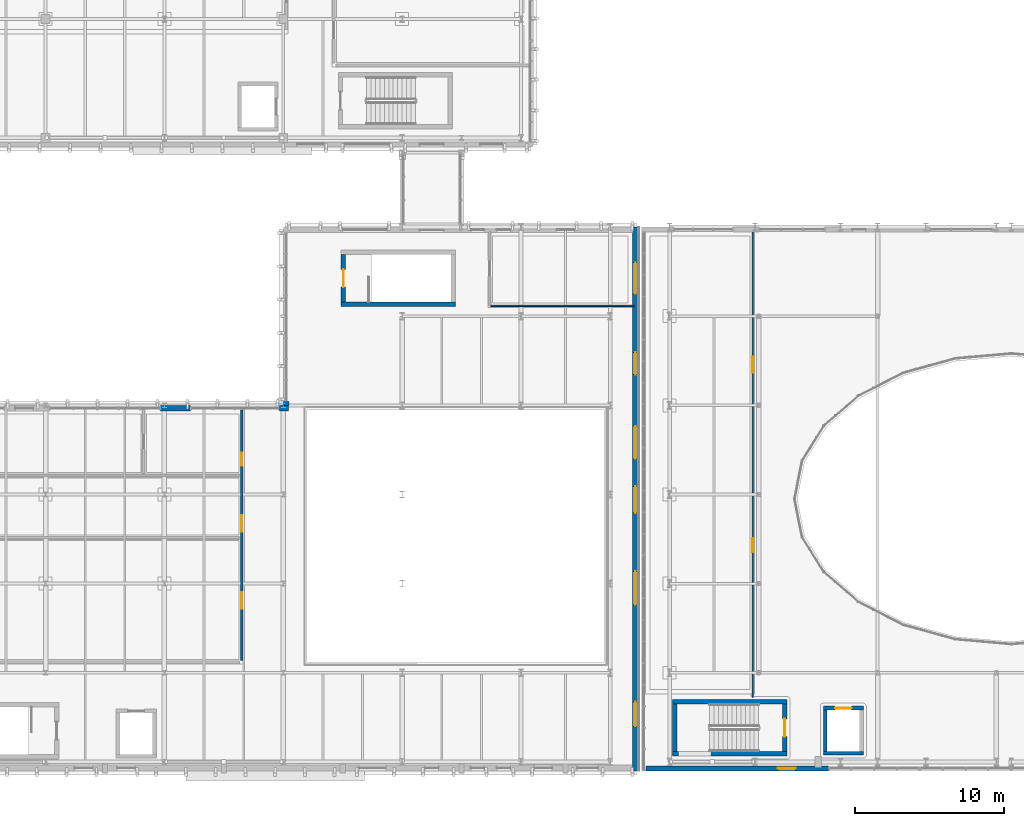
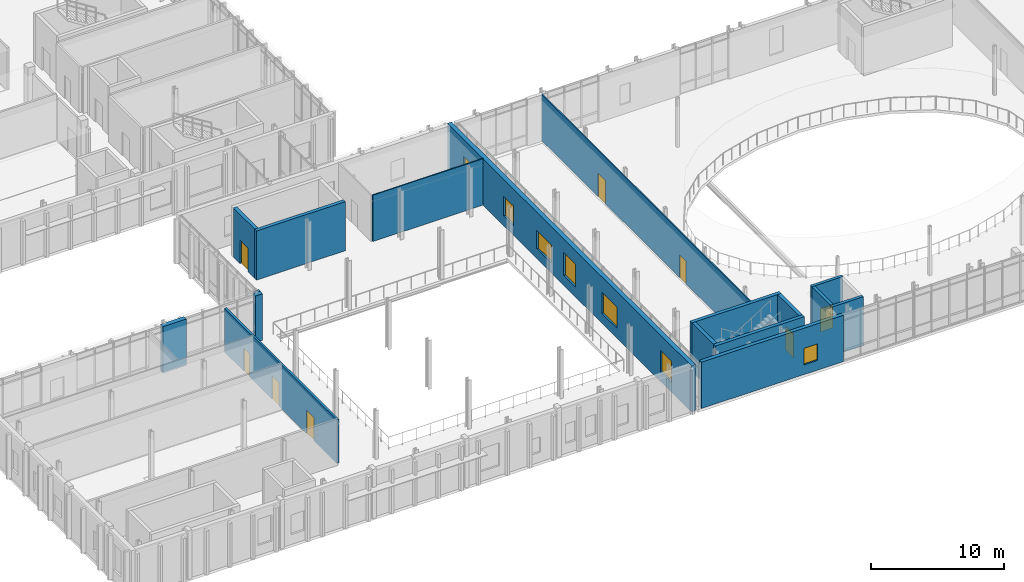
# One storey, part 68 of 100: 17 walls, 8 doors, 7 windows, 15 openings.
"""IFC4 building model written with IfcOpenShell, lengths in metres."""

from ifc_helpers import new_model, si_unit, direction, frame, frame_2d, origin, place, context, subcontext, project, spatial, rectangle, extrude, material, layer, layer_set, type_object, element, fill, save


model = new_model("IFC4")

# Units and contexts
model_context = context("Model", 3, precision=1e-05, world=origin(), true_north=direction((0.0, 1.0)))
body_context = subcontext(model_context, "Body", "Model", "MODEL_VIEW")
ifc_project = project(units=[si_unit("LENGTHUNIT", "METRE"), si_unit("AREAUNIT", "SQUARE_METRE"), si_unit("VOLUMEUNIT", "CUBIC_METRE"), si_unit("PLANEANGLEUNIT", "RADIAN"), si_unit("MASSUNIT", "GRAM", prefix="KILO")], contexts=[model_context])

# Site, building, storey
site_placement = place(None, origin())
site = spatial("IfcSite", under=ifc_project, at=site_placement, CompositionType="ELEMENT")
building_placement = place(site_placement, origin())
building = spatial("IfcBuilding", under=site, at=building_placement, Name="Cymarion Research Institute", CompositionType="ELEMENT")
storey_placement = place(building_placement, frame((0.0, 0.0, 9.300048828125)))
storey = spatial("IfcBuildingStorey", under=building, at=storey_placement, Name="L02", CompositionType="ELEMENT", Elevation=9.300048828125)

# Wall, openings, windows
ifc_material_1 = material(Name="Precast concrete C40/50", Category="concrete")
ifc_layer_1 = layer(ifc_material_1, 0.3798828125)
ifc_layer_set_1 = layer_set([ifc_layer_1], Name="Precast concrete C40/50")
wall_type_1 = type_object("IfcWallType", Name="EXTERIOR WALL EW-PC380 380MM", PredefinedType="SOLIDWALL", material=ifc_layer_set_1)
wall_1_placement = place(storey_placement, frame((54.31005859375, 4.89990234375, 0.0), z_axis=(0.0, 0.0, 1.0), x_axis=(0.0, 1.0, 0.0)))
wall_1 = element("IfcWall", 1, at=wall_1_placement, inside=storey, type_object=wall_type_1, Name="L02 V3 exterior wall EW-PC380 #146", PredefinedType="SOLIDWALL", context=body_context, shape_type="SweptSolid", body=[
    extrude(rectangle(XDim=36.60009765625, YDim=0.3798828125, at=frame_2d((18.300048828125, 0.0))), origin(), (0.0, 0.0, 1.0), 4.25),
])
opening_1_placement = place(wall_1_placement, frame((2.9951171875, 0.0, 0.89990234375)))
opening_1 = element("IfcOpeningElement", 2, at=opening_1_placement, cuts=wall_1, Name="Opening W28", PredefinedType="OPENING", context=body_context, shape_type="SweptSolid", body=[
    extrude(rectangle(XDim=1.64990234375, YDim=1.949951171875, at=frame_2d((0.824951171875, 0.97509765625))), frame((0.0, 0.199951171875, 0.0), z_axis=(0.0, -1.0, 0.0), x_axis=(1.0, 0.0, 0.0)), (0.0, 0.0, 1.0), 0.39990234375),
])
opening_2_placement = place(wall_1_placement, frame((11.175048828125, 0.0, 0.89990234375)))
opening_2 = element("IfcOpeningElement", 3, at=opening_2_placement, cuts=wall_1, Name="Opening W30", PredefinedType="OPENING", context=body_context, shape_type="SweptSolid", body=[
    extrude(rectangle(XDim=2.25, YDim=1.949951171875, at=frame_2d((1.125, 0.97509765625))), frame((0.0, 0.199951171875, 0.0), z_axis=(0.0, -1.0, 0.0), x_axis=(1.0, 0.0, 0.0)), (0.0, 0.0, 1.0), 0.39990234375),
])
opening_3_placement = place(wall_1_placement, frame((17.35009765625, 0.0, 0.89990234375)))
opening_3 = element("IfcOpeningElement", 4, at=opening_3_placement, cuts=wall_1, Name="Opening W10", PredefinedType="OPENING", context=body_context, shape_type="SweptSolid", body=[
    extrude(rectangle(XDim=1.800048828125, YDim=2.10009765625, at=frame_2d((0.89990234375, 1.050048828125))), frame((0.0, 0.199951171875, 0.0), z_axis=(0.0, -1.0, 0.0), x_axis=(1.0, 0.0, 0.0)), (0.0, 0.0, 1.0), 0.39990234375),
])
opening_4_placement = place(wall_1_placement, frame((21.0, 0.0, 0.89990234375)))
opening_4 = element("IfcOpeningElement", 5, at=opening_4_placement, cuts=wall_1, Name="Opening W34", PredefinedType="OPENING", context=body_context, shape_type="SweptSolid", body=[
    extrude(rectangle(XDim=2.199951171875, YDim=1.64990234375, at=frame_2d((1.10009765625, 0.824951171875))), frame((0.0, 0.199951171875, 0.0), z_axis=(0.0, -1.0, 0.0), x_axis=(1.0, 0.0, 0.0)), (0.0, 0.0, 1.0), 0.39990234375),
])
opening_5_placement = place(wall_1_placement, frame((26.659912109375, 0.0, 0.89990234375)))
opening_5 = element("IfcOpeningElement", 6, at=opening_5_placement, cuts=wall_1, Name="Opening W02", PredefinedType="OPENING", context=body_context, shape_type="SweptSolid", body=[
    extrude(rectangle(XDim=1.5, YDim=1.800048828125, at=frame_2d((0.75, 0.89990234375))), frame((0.0, 0.199951171875, 0.0), z_axis=(0.0, -1.0, 0.0), x_axis=(1.0, 0.0, 0.0)), (0.0, 0.0, 1.0), 0.39990234375),
])
opening_6_placement = place(wall_1_placement, frame((32.10009765625, 0.0, 0.89990234375)))
opening_6 = element("IfcOpeningElement", 7, at=opening_6_placement, cuts=wall_1, Name="Opening W04", PredefinedType="OPENING", context=body_context, shape_type="SweptSolid", body=[
    extrude(rectangle(XDim=2.10009765625, YDim=1.800048828125, at=frame_2d((1.050048828125, 0.89990234375))), frame((0.0, 0.199951171875, 0.0), z_axis=(0.0, -1.0, 0.0), x_axis=(1.0, 0.0, 0.0)), (0.0, 0.0, 1.0), 0.39990234375),
])
ifc_material_2 = material(Name="Thermally broken aluminium window with Low-E glazing", Category="aluminium")
window_type_1 = type_object("IfcWindowType", Name="THERMALLY BROKEN ALUMINIUM WINDOW W02 1500X1800", PartitioningType="DOUBLE_PANEL_VERTICAL", PredefinedType="WINDOW", material=ifc_material_2)
window_1_placement = place(opening_5_placement, origin())
window_1 = element("IfcWindow", 8, at=window_1_placement, inside=storey, type_object=window_type_1, Name="L02 V3 facade window W02 #266", OverallHeight=1.800048828125, OverallWidth=1.5, PartitioningType="SINGLE_PANEL", PredefinedType="WINDOW", context=body_context, shape_type="SweptSolid", body=[
    extrude(rectangle(XDim=1.5, YDim=1.800048828125, at=frame_2d((0.75, 0.89990234375))), frame((0.0, 0.030029296875, 0.0), z_axis=(0.0, -1.0, 0.0), x_axis=(1.0, 0.0, 0.0)), (0.0, 0.0, 1.0), 0.06005859375),
])
fill(opening_5, window_1)
window_type_2 = type_object("IfcWindowType", Name="THERMALLY BROKEN ALUMINIUM WINDOW W04 2100X1800", PartitioningType="DOUBLE_PANEL_VERTICAL", PredefinedType="WINDOW", material=ifc_material_2)
window_2_placement = place(opening_6_placement, origin())
window_2 = element("IfcWindow", 9, at=window_2_placement, inside=storey, type_object=window_type_2, Name="L02 V3 facade window W04 #267", OverallHeight=1.800048828125, OverallWidth=2.10009765625, PartitioningType="SINGLE_PANEL", PredefinedType="WINDOW", context=body_context, shape_type="SweptSolid", body=[
    extrude(rectangle(XDim=2.10009765625, YDim=1.800048828125, at=frame_2d((1.050048828125, 0.89990234375))), frame((0.0, 0.030029296875, 0.0), z_axis=(0.0, -1.0, 0.0), x_axis=(1.0, 0.0, 0.0)), (0.0, 0.0, 1.0), 0.06005859375),
])
fill(opening_6, window_2)
window_type_3 = type_object("IfcWindowType", Name="THERMALLY BROKEN ALUMINIUM WINDOW W10 1800X2100", PartitioningType="DOUBLE_PANEL_VERTICAL", PredefinedType="WINDOW", material=ifc_material_2)
window_3_placement = place(opening_3_placement, origin())
window_3 = element("IfcWindow", 10, at=window_3_placement, inside=storey, type_object=window_type_3, Name="L02 V3 facade window W10 #264", OverallHeight=2.10009765625, OverallWidth=1.800048828125, PartitioningType="SINGLE_PANEL", PredefinedType="WINDOW", context=body_context, shape_type="SweptSolid", body=[
    extrude(rectangle(XDim=1.800048828125, YDim=2.10009765625, at=frame_2d((0.89990234375, 1.050048828125))), frame((0.0, 0.030029296875, 0.0), z_axis=(0.0, -1.0, 0.0), x_axis=(1.0, 0.0, 0.0)), (0.0, 0.0, 1.0), 0.06005859375),
])
fill(opening_3, window_3)
window_type_4 = type_object("IfcWindowType", Name="THERMALLY BROKEN ALUMINIUM WINDOW W28 1650X1950", PartitioningType="DOUBLE_PANEL_VERTICAL", PredefinedType="WINDOW", material=ifc_material_2)
window_4_placement = place(opening_1_placement, origin())
window_4 = element("IfcWindow", 11, at=window_4_placement, inside=storey, type_object=window_type_4, Name="L02 V3 facade window W28 #262", OverallHeight=1.949951171875, OverallWidth=1.64990234375, PartitioningType="SINGLE_PANEL", PredefinedType="WINDOW", context=body_context, shape_type="SweptSolid", body=[
    extrude(rectangle(XDim=1.64990234375, YDim=1.949951171875, at=frame_2d((0.824951171875, 0.97509765625))), frame((0.0, 0.030029296875, 0.0), z_axis=(0.0, -1.0, 0.0), x_axis=(1.0, 0.0, 0.0)), (0.0, 0.0, 1.0), 0.06005859375),
])
fill(opening_1, window_4)
window_type_5 = type_object("IfcWindowType", Name="THERMALLY BROKEN ALUMINIUM WINDOW W30 2250X1950", PartitioningType="DOUBLE_PANEL_VERTICAL", PredefinedType="WINDOW", material=ifc_material_2)
window_5_placement = place(opening_2_placement, origin())
window_5 = element("IfcWindow", 12, at=window_5_placement, inside=storey, type_object=window_type_5, Name="L02 V3 facade window W30 #263", OverallHeight=1.949951171875, OverallWidth=2.25, PartitioningType="SINGLE_PANEL", PredefinedType="WINDOW", context=body_context, shape_type="SweptSolid", body=[
    extrude(rectangle(XDim=2.25, YDim=1.949951171875, at=frame_2d((1.125, 0.97509765625))), frame((0.0, 0.030029296875, 0.0), z_axis=(0.0, -1.0, 0.0), x_axis=(1.0, 0.0, 0.0)), (0.0, 0.0, 1.0), 0.06005859375),
])
fill(opening_2, window_5)
window_type_6 = type_object("IfcWindowType", Name="THERMALLY BROKEN ALUMINIUM WINDOW W34 2200X1650", PartitioningType="DOUBLE_PANEL_VERTICAL", PredefinedType="WINDOW", material=ifc_material_2)
window_6_placement = place(opening_4_placement, origin())
window_6 = element("IfcWindow", 13, at=window_6_placement, inside=storey, type_object=window_type_6, Name="L02 V3 facade window W34 #265", OverallHeight=1.64990234375, OverallWidth=2.199951171875, PartitioningType="SINGLE_PANEL", PredefinedType="WINDOW", context=body_context, shape_type="SweptSolid", body=[
    extrude(rectangle(XDim=2.199951171875, YDim=1.64990234375, at=frame_2d((1.10009765625, 0.824951171875))), frame((0.0, 0.030029296875, 0.0), z_axis=(0.0, -1.0, 0.0), x_axis=(1.0, 0.0, 0.0)), (0.0, 0.0, 1.0), 0.06005859375),
])
fill(opening_4, window_6)

# Walls
wall_2_placement = place(storey_placement, frame((30.7900390625, 29.760009765625, 0.0), z_axis=(0.0, 0.0, 1.0), x_axis=(0.0, -1.0, 0.0)))
element("IfcWall", 14, at=wall_2_placement, inside=storey, type_object=wall_type_1, Name="L02 V3 facade pier wall EW-PC380 #148", PredefinedType="SOLIDWALL", context=body_context, shape_type="SweptSolid", body=[
    extrude(rectangle(XDim=0.260009765625, YDim=0.3798828125, at=frame_2d((0.1298828125, 0.0))), origin(), (0.0, 0.0, 1.0), 4.25),
])
wall_3_placement = place(storey_placement, frame((30.9619140625, 29.31005859375, 0.0), z_axis=(0.0, 0.0, 1.0), x_axis=(-1.0, 0.0, 0.0)))
element("IfcWall", 15, at=wall_3_placement, inside=storey, type_object=wall_type_1, Name="L02 V3 facade pier wall EW-PC380 #149", PredefinedType="SOLIDWALL", context=body_context, shape_type="SweptSolid", body=[
    extrude(rectangle(XDim=0.621826171875, YDim=0.3798828125, at=frame_2d((0.31103515625, 0.0))), origin(), (0.0, 0.0, 1.0), 4.25),
])
wall_4_placement = place(storey_placement, frame((24.35009765625, 29.31005859375, 0.0), z_axis=(0.0, 0.0, 1.0), x_axis=(-1.0, 0.0, 0.0)))
element("IfcWall", 16, at=wall_4_placement, inside=storey, type_object=wall_type_1, Name="L02 V3 facade pier wall EW-PC380 #150", PredefinedType="SOLIDWALL", context=body_context, shape_type="SweptSolid", body=[
    extrude(rectangle(XDim=2.010009765625, YDim=0.3798828125, at=frame_2d((1.0048828125, 0.0))), origin(), (0.0, 0.0, 1.0), 4.25),
])

# Wall, opening, window
ifc_material_3 = material(Name="Concrete C40/50", Category="concrete")
ifc_layer_2 = layer(ifc_material_3, 0.320068359375)
ifc_layer_set_2 = layer_set([ifc_layer_2], Name="Concrete C40/50")
wall_type_2 = type_object("IfcWallType", Name="EXTERIOR WALL EW-RC320 320MM", PredefinedType="SHEAR", material=ifc_layer_set_2)
wall_5_placement = place(storey_placement, frame((55.001953125, 5.06005859375, 0.0), z_axis=(0.0, 0.0, 1.0), x_axis=(1.0, 0.0, 0.0)))
wall_5 = element("IfcWall", 17, at=wall_5_placement, inside=storey, type_object=wall_type_2, Name="L02 V2 facade pier wall EW-RC320 #138", PredefinedType="SHEAR", context=body_context, shape_type="SweptSolid", body=[
    extrude(rectangle(XDim=12.299072265625, YDim=0.320068359375, at=frame_2d((6.1494140625, 0.0))), origin(), (0.0, 0.0, 1.0), 4.25),
])
opening_7_placement = place(wall_5_placement, frame((8.883056640625, 0.0, 0.89990234375)))
opening_7 = element("IfcOpeningElement", 18, at=opening_7_placement, cuts=wall_5, Name="Opening W15", PredefinedType="OPENING", context=body_context, shape_type="SweptSolid", body=[
    extrude(rectangle(XDim=1.199951171875, YDim=1.5, at=frame_2d((0.60009765625, 0.75))), frame((0.0, 0.169921875, 0.0), z_axis=(0.0, -1.0, 0.0), x_axis=(1.0, 0.0, 0.0)), (0.0, 0.0, 1.0), 0.340087890625),
])
window_type_7 = type_object("IfcWindowType", Name="THERMALLY BROKEN ALUMINIUM WINDOW W15 1200X1500", PartitioningType="SINGLE_PANEL", PredefinedType="WINDOW", material=ifc_material_2)
window_7_placement = place(opening_7_placement, origin())
window_7 = element("IfcWindow", 19, at=window_7_placement, inside=storey, type_object=window_type_7, Name="L02 V2 facade window W15 #250", OverallHeight=1.5, OverallWidth=1.199951171875, PartitioningType="SINGLE_PANEL", PredefinedType="WINDOW", context=body_context, shape_type="SweptSolid", body=[
    extrude(rectangle(XDim=1.199951171875, YDim=1.5, at=frame_2d((0.60009765625, 0.75))), frame((0.0, 0.030029296875, 0.0), z_axis=(0.0, -1.0, 0.0), x_axis=(1.0, 0.0, 0.0)), (0.0, 0.0, 1.0), 0.06005859375),
])
fill(opening_7, window_7)

# Wall, openings, doors
ifc_material_4 = material(Name="Framed acoustic glass laboratory screen", Category="glass")
ifc_layer_3 = layer(ifc_material_4, 0.10009765625)
ifc_layer_set_3 = layer_set([ifc_layer_3], Name="Framed acoustic glass laboratory screen")
wall_type_3 = type_object("IfcWallType", Name="INTERIOR PARTITION IW-GL100 100MM", PredefinedType="PARTITIONING", material=ifc_layer_set_3)
wall_6_placement = place(storey_placement, frame((62.199951171875, 9.85009765625, 0.0), z_axis=(0.0, 0.0, 1.0), x_axis=(0.0, 1.0, 0.0)))
wall_6 = element("IfcWall", 20, at=wall_6_placement, inside=storey, type_object=wall_type_3, Name="L02 V2 interior partition IW-GL100 #177", PredefinedType="PARTITIONING", context=body_context, shape_type="SweptSolid", body=[
    extrude(rectangle(XDim=31.39990234375, YDim=0.10009765625, at=frame_2d((15.699951171875, 0.0))), origin(), (0.0, 0.0, 1.0), 4.25),
])
opening_8_placement = place(wall_6_placement, frame((9.7529296875, 0.0, 0.0)))
opening_8 = element("IfcOpeningElement", 21, at=opening_8_placement, cuts=wall_6, Name="Opening D-L02-119", PredefinedType="OPENING", context=body_context, shape_type="SweptSolid", body=[
    extrude(rectangle(XDim=0.949951171875, YDim=2.10009765625, at=frame_2d((0.47509765625, 1.050048828125))), frame((0.0, 0.06005859375, 0.0), z_axis=(0.0, -1.0, 0.0), x_axis=(1.0, 0.0, 0.0)), (0.0, 0.0, 1.0), 0.1201171875),
])
opening_9_placement = place(wall_6_placement, frame((21.8369140625, 0.0, 0.0)))
opening_9 = element("IfcOpeningElement", 22, at=opening_9_placement, cuts=wall_6, Name="Opening D-L02-120", PredefinedType="OPENING", context=body_context, shape_type="SweptSolid", body=[
    extrude(rectangle(XDim=1.10009765625, YDim=2.14990234375, at=frame_2d((0.550048828125, 1.074951171875))), frame((0.0, 0.06005859375, 0.0), z_axis=(0.0, -1.0, 0.0), x_axis=(1.0, 0.0, 0.0)), (0.0, 0.0, 1.0), 0.1201171875),
])
ifc_material_5 = material(Name="Flush acoustic timber/steel door assembly", Category="steel")
door_type_1 = type_object("IfcDoorType", Name="FACULTY STUDY DOOR DT-OF095 950X2100", OperationType="NOTDEFINED", PredefinedType="DOOR", material=ifc_material_5)
door_1_placement = place(opening_8_placement, origin())
door_1 = element("IfcDoor", 23, at=door_1_placement, inside=storey, type_object=door_type_1, Name="L02 West Collaboration door D-L02-119", OperationType="SINGLE_SWING_RIGHT", OverallHeight=2.10009765625, OverallWidth=0.949951171875, PredefinedType="DOOR", context=body_context, shape_type="SweptSolid", body=[
    extrude(rectangle(XDim=0.949951171875, YDim=2.10009765625, at=frame_2d((0.47509765625, 1.050048828125))), frame((0.0, 0.02490234375, 0.0), z_axis=(0.0, -1.0, 0.0), x_axis=(1.0, 0.0, 0.0)), (0.0, 0.0, 1.0), 0.050048828125),
])
fill(opening_8, door_1)
door_type_2 = type_object("IfcDoorType", Name="LABORATORY WIDE SINGLE DOOR DT-LB110 1100X2150", OperationType="NOTDEFINED", PredefinedType="DOOR", material=ifc_material_5)
door_2_placement = place(opening_9_placement, origin())
door_2 = element("IfcDoor", 24, at=door_2_placement, inside=storey, type_object=door_type_2, Name="L02 Open Makerspace door D-L02-120", OperationType="SINGLE_SWING_LEFT", OverallHeight=2.14990234375, OverallWidth=1.10009765625, PredefinedType="DOOR", context=body_context, shape_type="SweptSolid", body=[
    extrude(rectangle(XDim=1.10009765625, YDim=2.14990234375, at=frame_2d((0.550048828125, 1.074951171875))), frame((0.0, 0.02490234375, 0.0), z_axis=(0.0, -1.0, 0.0), x_axis=(1.0, 0.0, 0.0)), (0.0, 0.0, 1.0), 0.050048828125),
])
fill(opening_9, door_2)

# Wall
wall_7_placement = place(storey_placement, frame((44.580078125, 36.199951171875, 0.0), z_axis=(0.0, 0.0, 1.0), x_axis=(1.0, 0.0, 0.0)))
element("IfcWall", 25, at=wall_7_placement, inside=storey, type_object=wall_type_3, Name="L02 V3 interior partition IW-GL100 #188", PredefinedType="PARTITIONING", context=body_context, shape_type="SweptSolid", body=[
    extrude(rectangle(XDim=9.614990234375, YDim=0.10009765625, at=frame_2d((4.8076171875, 0.0))), origin(), (0.0, 0.0, 1.0), 4.25),
])

# Wall, openings, doors
ifc_material_6 = material(Name="Moisture-resistant laboratory partition", Category="gypsum")
ifc_layer_4 = layer(ifc_material_6, 0.179931640625)
ifc_layer_set_4 = layer_set([ifc_layer_4], Name="Moisture-resistant laboratory partition")
wall_type_4 = type_object("IfcWallType", Name="INTERIOR PARTITION IW-LB180 180MM", PredefinedType="PARTITIONING", material=ifc_layer_set_4)
wall_8_placement = place(storey_placement, frame((27.800048828125, 12.340087890625, 0.0), z_axis=(0.0, 0.0, 1.0), x_axis=(0.0, 1.0, 0.0)))
wall_8 = element("IfcWall", 26, at=wall_8_placement, inside=storey, type_object=wall_type_4, Name="L02 V3 interior partition IW-LB180 #187", PredefinedType="PARTITIONING", context=body_context, shape_type="SweptSolid", body=[
    extrude(rectangle(XDim=16.85498046875, YDim=0.179931640625, at=frame_2d((8.427490234375, 0.0))), origin(), (0.0, 0.0, 1.0), 4.02001953125),
])
opening_10_placement = place(wall_8_placement, frame((3.466064453125, 0.0, 0.0)))
opening_10 = element("IfcOpeningElement", 27, at=opening_10_placement, cuts=wall_8, Name="Opening D-L02-125", PredefinedType="OPENING", context=body_context, shape_type="SweptSolid", body=[
    extrude(rectangle(XDim=1.10009765625, YDim=2.14990234375, at=frame_2d((0.550048828125, 1.074951171875))), frame((0.0, 0.099853515625, 0.0), z_axis=(0.0, -1.0, 0.0), x_axis=(1.0, 0.0, 0.0)), (0.0, 0.0, 1.0), 0.199951171875),
])
opening_11_placement = place(wall_8_placement, frame((8.6650390625, 0.0, 0.0)))
opening_11 = element("IfcOpeningElement", 28, at=opening_11_placement, cuts=wall_8, Name="Opening D-L02-126", PredefinedType="OPENING", context=body_context, shape_type="SweptSolid", body=[
    extrude(rectangle(XDim=1.10009765625, YDim=2.14990234375, at=frame_2d((0.550048828125, 1.074951171875))), frame((0.0, 0.099853515625, 0.0), z_axis=(0.0, -1.0, 0.0), x_axis=(1.0, 0.0, 0.0)), (0.0, 0.0, 1.0), 0.199951171875),
])
opening_12_placement = place(wall_8_placement, frame((13.0830078125, 0.0, 0.0)))
opening_12 = element("IfcOpeningElement", 29, at=opening_12_placement, cuts=wall_8, Name="Opening D-L02-127", PredefinedType="OPENING", context=body_context, shape_type="SweptSolid", body=[
    extrude(rectangle(XDim=0.89990234375, YDim=2.10009765625, at=frame_2d((0.449951171875, 1.050048828125))), frame((0.0, 0.099853515625, 0.0), z_axis=(0.0, -1.0, 0.0), x_axis=(1.0, 0.0, 0.0)), (0.0, 0.0, 1.0), 0.199951171875),
])
door_type_3 = type_object("IfcDoorType", Name="ACCESSIBLE RESTROOM DOOR DT-WC090 900X2100", OperationType="NOTDEFINED", PredefinedType="DOOR", material=ifc_material_5)
door_3_placement = place(opening_12_placement, origin())
door_3 = element("IfcDoor", 30, at=door_3_placement, inside=storey, type_object=door_type_3, Name="L02 Restroom door D-L02-127", OperationType="SINGLE_SWING_RIGHT", OverallHeight=2.10009765625, OverallWidth=0.89990234375, PredefinedType="DOOR", context=body_context, shape_type="SweptSolid", body=[
    extrude(rectangle(XDim=0.89990234375, YDim=2.10009765625, at=frame_2d((0.449951171875, 1.050048828125))), frame((0.0, 0.02490234375, 0.0), z_axis=(0.0, -1.0, 0.0), x_axis=(1.0, 0.0, 0.0)), (0.0, 0.0, 1.0), 0.050048828125),
])
fill(opening_12, door_3)
door_4_placement = place(opening_10_placement, origin())
door_4 = element("IfcDoor", 31, at=door_4_placement, inside=storey, type_object=door_type_2, Name="L02 Teaching Lab 1 door D-L02-125", OperationType="SINGLE_SWING_RIGHT", OverallHeight=2.14990234375, OverallWidth=1.10009765625, PredefinedType="DOOR", context=body_context, shape_type="SweptSolid", body=[
    extrude(rectangle(XDim=1.10009765625, YDim=2.14990234375, at=frame_2d((0.550048828125, 1.074951171875))), frame((0.0, 0.02490234375, 0.0), z_axis=(0.0, -1.0, 0.0), x_axis=(1.0, 0.0, 0.0)), (0.0, 0.0, 1.0), 0.050048828125),
])
fill(opening_10, door_4)
door_5_placement = place(opening_11_placement, origin())
door_5 = element("IfcDoor", 32, at=door_5_placement, inside=storey, type_object=door_type_2, Name="L02 Teaching Lab 2 door D-L02-126", OperationType="SINGLE_SWING_LEFT", OverallHeight=2.14990234375, OverallWidth=1.10009765625, PredefinedType="DOOR", context=body_context, shape_type="SweptSolid", body=[
    extrude(rectangle(XDim=1.10009765625, YDim=2.14990234375, at=frame_2d((0.550048828125, 1.074951171875))), frame((0.0, 0.02490234375, 0.0), z_axis=(0.0, -1.0, 0.0), x_axis=(1.0, 0.0, 0.0)), (0.0, 0.0, 1.0), 0.050048828125),
])
fill(opening_11, door_5)

# Wall
ifc_layer_5 = layer(ifc_material_3, 0.25)
ifc_layer_set_5 = layer_set([ifc_layer_5], Name="Concrete C40/50")
wall_type_5 = type_object("IfcWallType", Name="REINFORCED CONCRETE CORE WALL CW-SH250 250MM", PredefinedType="SHEAR", material=ifc_layer_set_5)
wall_9_placement = place(storey_placement, frame((66.949951171875, 6.074951171875, 0.0), z_axis=(0.0, 0.0, 1.0), x_axis=(1.0, 0.0, 0.0)))
element("IfcWall", 33, at=wall_9_placement, inside=storey, type_object=wall_type_5, Name="L02 LSH-LP2-L02 south core wall", PredefinedType="SHEAR", context=body_context, shape_type="SweptSolid", body=[
    extrude(rectangle(XDim=2.699951171875, YDim=0.25, at=frame_2d((1.35009765625, 0.0))), origin(), (0.0, 0.0, 1.0), 4.5),
])

# Wall, opening, door
wall_10_placement = place(storey_placement, frame((69.64990234375, 9.125, 0.0), z_axis=(0.0, 0.0, 1.0), x_axis=(-1.0, 0.0, 0.0)))
wall_10 = element("IfcWall", 34, at=wall_10_placement, inside=storey, type_object=wall_type_5, Name="L02 LSH-LP2-L02 north core wall", PredefinedType="SHEAR", context=body_context, shape_type="SweptSolid", body=[
    extrude(rectangle(XDim=2.699951171875, YDim=0.25, at=frame_2d((1.35009765625, 0.0))), origin(), (0.0, 0.0, 1.0), 4.5),
])
opening_13_placement = place(wall_10_placement, frame((0.800048828125, 0.0, 0.0)))
opening_13 = element("IfcOpeningElement", 35, at=opening_13_placement, cuts=wall_10, Name="Opening LD-LP2-L02", PredefinedType="OPENING", context=body_context, shape_type="SweptSolid", body=[
    extrude(rectangle(XDim=1.10009765625, YDim=2.14990234375, at=frame_2d((0.550048828125, 1.074951171875))), frame((0.0, 0.135009765625, 0.0), z_axis=(0.0, -1.0, 0.0), x_axis=(1.0, 0.0, 0.0)), (0.0, 0.0, 1.0), 0.27001953125),
])
ifc_material_7 = material(Name="Fire-rated insulated steel door assembly", Category="steel")
door_type_4 = type_object("IfcDoorType", Name="SLIDING LIFT LANDING DOOR DT-LD110 1100X2150", OperationType="DOUBLE_DOOR_SLIDING", PredefinedType="DOOR", material=ifc_material_7)
door_6_placement = place(opening_13_placement, origin())
door_6 = element("IfcDoor", 36, at=door_6_placement, inside=storey, type_object=door_type_4, Name="Lift LP2 landing door L02", OperationType="DOUBLE_DOOR_SLIDING", OverallHeight=2.14990234375, OverallWidth=1.10009765625, PredefinedType="DOOR", context=body_context, shape_type="SweptSolid", body=[
    extrude(rectangle(XDim=1.10009765625, YDim=2.14990234375, at=frame_2d((0.550048828125, 1.074951171875))), frame((0.0, 0.02490234375, 0.0), z_axis=(0.0, -1.0, 0.0), x_axis=(1.0, 0.0, 0.0)), (0.0, 0.0, 1.0), 0.050048828125),
])
fill(opening_13, door_6)

# Walls
wall_11_placement = place(storey_placement, frame((67.074951171875, 9.0, 0.0), z_axis=(0.0, 0.0, 1.0), x_axis=(0.0, -1.0, 0.0)))
element("IfcWall", 37, at=wall_11_placement, inside=storey, type_object=wall_type_5, Name="L02 LSH-LP2-L02 west core wall", PredefinedType="SHEAR", context=body_context, shape_type="SweptSolid", body=[
    extrude(rectangle(XDim=2.800048828125, YDim=0.25, at=frame_2d((1.39990234375, 0.0))), origin(), (0.0, 0.0, 1.0), 4.5),
])
ifc_layer_6 = layer(ifc_material_3, 0.300048828125)
ifc_layer_set_6 = layer_set([ifc_layer_6], Name="Concrete C40/50")
wall_type_6 = type_object("IfcWallType", Name="REINFORCED CONCRETE CORE WALL CW-SH300 300MM", PredefinedType="SHEAR", material=ifc_layer_set_6)
for number, where, z_axis, x_axis, name in (
    (38, (56.800048828125, 6.050048828125, 0.0), (0.0, 0.0, 1.0), (1.0, 0.0, 0.0), "L02 SHW-C3-L02 south core wall"),
    (39, (64.5, 9.550048828125, 0.0), (0.0, 0.0, 1.0), (-1.0, 0.0, 0.0), "L02 SHW-C3-L02 north core wall"),
):
    element("IfcWall", number, at=place(storey_placement, frame(where, z_axis=z_axis, x_axis=x_axis)), inside=storey, type_object=wall_type_6, Name=name, PredefinedType="SHEAR", context=body_context, shape_type="SweptSolid", body=[
        extrude(rectangle(XDim=7.699951171875, YDim=0.300048828125, at=frame_2d((3.85009765625, 0.0))), origin(), (0.0, 0.0, 1.0), 4.5),
    ])
wall_12_placement = place(storey_placement, frame((56.949951171875, 9.39990234375, 0.0), z_axis=(0.0, 0.0, 1.0), x_axis=(0.0, -1.0, 0.0)))
element("IfcWall", 40, at=wall_12_placement, inside=storey, type_object=wall_type_6, Name="L02 SHW-C3-L02 west core wall", PredefinedType="SHEAR", context=body_context, shape_type="SweptSolid", body=[
    extrude(rectangle(XDim=3.199951171875, YDim=0.300048828125, at=frame_2d((1.60009765625, 0.0))), origin(), (0.0, 0.0, 1.0), 4.5),
])

# Wall, opening, door
wall_13_placement = place(storey_placement, frame((64.35009765625, 6.199951171875, 0.0), z_axis=(0.0, 0.0, 1.0), x_axis=(0.0, 1.0, 0.0)))
wall_13 = element("IfcWall", 41, at=wall_13_placement, inside=storey, type_object=wall_type_6, Name="L02 SHW-C3-L02 east core wall", PredefinedType="SHEAR", context=body_context, shape_type="SweptSolid", body=[
    extrude(rectangle(XDim=3.199951171875, YDim=0.300048828125, at=frame_2d((1.60009765625, 0.0))), origin(), (0.0, 0.0, 1.0), 4.5),
])
opening_14_placement = place(wall_13_placement, frame((1.0, 0.0, 0.0)))
opening_14 = element("IfcOpeningElement", 42, at=opening_14_placement, cuts=wall_13, Name="Opening FD-L02-ST3", PredefinedType="OPENING", context=body_context, shape_type="SweptSolid", body=[
    extrude(rectangle(XDim=1.199951171875, YDim=2.14990234375, at=frame_2d((0.60009765625, 1.074951171875))), frame((0.0, 0.159912109375, 0.0), z_axis=(0.0, -1.0, 0.0), x_axis=(1.0, 0.0, 0.0)), (0.0, 0.0, 1.0), 0.320068359375),
])
door_type_5 = type_object("IfcDoorType", Name="SMOKE PROOF STAIR FIRE DOOR DT-ST120 1200X2150", OperationType="NOTDEFINED", PredefinedType="DOOR", material=ifc_material_7)
door_7_placement = place(opening_14_placement, origin())
door_7 = element("IfcDoor", 43, at=door_7_placement, inside=storey, type_object=door_type_5, Name="L02 ST3 smoke-proof stair door FD-L02-ST3", OperationType="SINGLE_SWING_RIGHT", OverallHeight=2.14990234375, OverallWidth=1.199951171875, PredefinedType="DOOR", context=body_context, shape_type="SweptSolid", body=[
    extrude(rectangle(XDim=1.199951171875, YDim=2.14990234375, at=frame_2d((0.60009765625, 1.074951171875))), frame((0.0, 0.02490234375, 0.0), z_axis=(0.0, -1.0, 0.0), x_axis=(1.0, 0.0, 0.0)), (0.0, 0.0, 1.0), 0.050048828125),
])
fill(opening_14, door_7)

# Wall
wall_14_placement = place(storey_placement, frame((34.5, 36.300048828125, 0.0), z_axis=(0.0, 0.0, 1.0), x_axis=(1.0, 0.0, 0.0)))
element("IfcWall", 44, at=wall_14_placement, inside=storey, type_object=wall_type_6, Name="L02 SHW-C6-L02 south core wall", PredefinedType="SHEAR", context=body_context, shape_type="SweptSolid", body=[
    extrude(rectangle(XDim=7.699951171875, YDim=0.300048828125, at=frame_2d((3.85009765625, 0.0))), origin(), (0.0, 0.0, 1.0), 4.5),
])

# Wall, opening, door
wall_15_placement = place(storey_placement, frame((34.64990234375, 39.64990234375, 0.0), z_axis=(0.0, 0.0, 1.0), x_axis=(0.0, -1.0, 0.0)))
wall_15 = element("IfcWall", 45, at=wall_15_placement, inside=storey, type_object=wall_type_6, Name="L02 SHW-C6-L02 west core wall", PredefinedType="SHEAR", context=body_context, shape_type="SweptSolid", body=[
    extrude(rectangle(XDim=3.199951171875, YDim=0.300048828125, at=frame_2d((1.60009765625, 0.0))), origin(), (0.0, 0.0, 1.0), 4.5),
])
opening_15_placement = place(wall_15_placement, frame((1.0, 0.0, 0.0)))
opening_15 = element("IfcOpeningElement", 46, at=opening_15_placement, cuts=wall_15, Name="Opening FD-L02-ST6", PredefinedType="OPENING", context=body_context, shape_type="SweptSolid", body=[
    extrude(rectangle(XDim=1.199951171875, YDim=2.14990234375, at=frame_2d((0.60009765625, 1.074951171875))), frame((0.0, 0.159912109375, 0.0), z_axis=(0.0, -1.0, 0.0), x_axis=(1.0, 0.0, 0.0)), (0.0, 0.0, 1.0), 0.320068359375),
])
door_8_placement = place(opening_15_placement, origin())
door_8 = element("IfcDoor", 47, at=door_8_placement, inside=storey, type_object=door_type_5, Name="L02 ST6 smoke-proof stair door FD-L02-ST6", OperationType="SINGLE_SWING_LEFT", OverallHeight=2.14990234375, OverallWidth=1.199951171875, PredefinedType="DOOR", context=body_context, shape_type="SweptSolid", body=[
    extrude(rectangle(XDim=1.199951171875, YDim=2.14990234375, at=frame_2d((0.60009765625, 1.074951171875))), frame((0.0, 0.02490234375, 0.0), z_axis=(0.0, -1.0, 0.0), x_axis=(1.0, 0.0, 0.0)), (0.0, 0.0, 1.0), 0.050048828125),
])
fill(opening_15, door_8)

save(model, "model.ifc")
